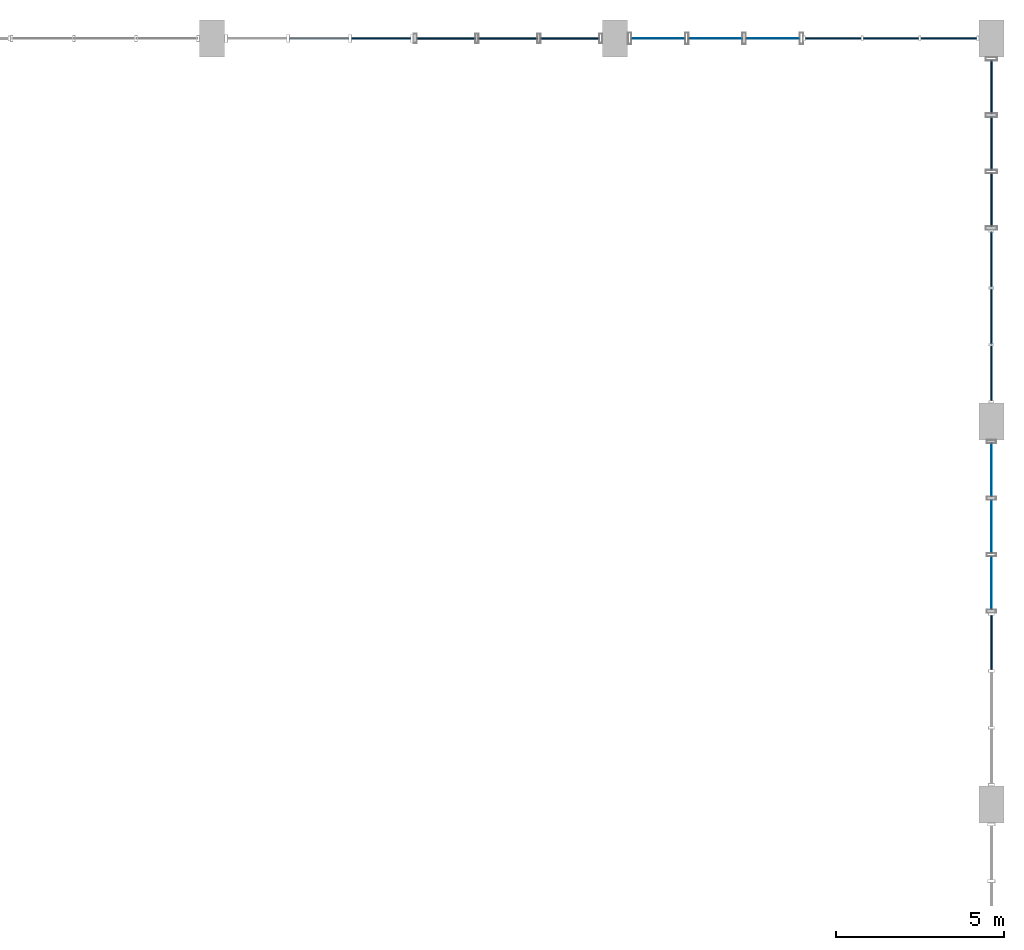
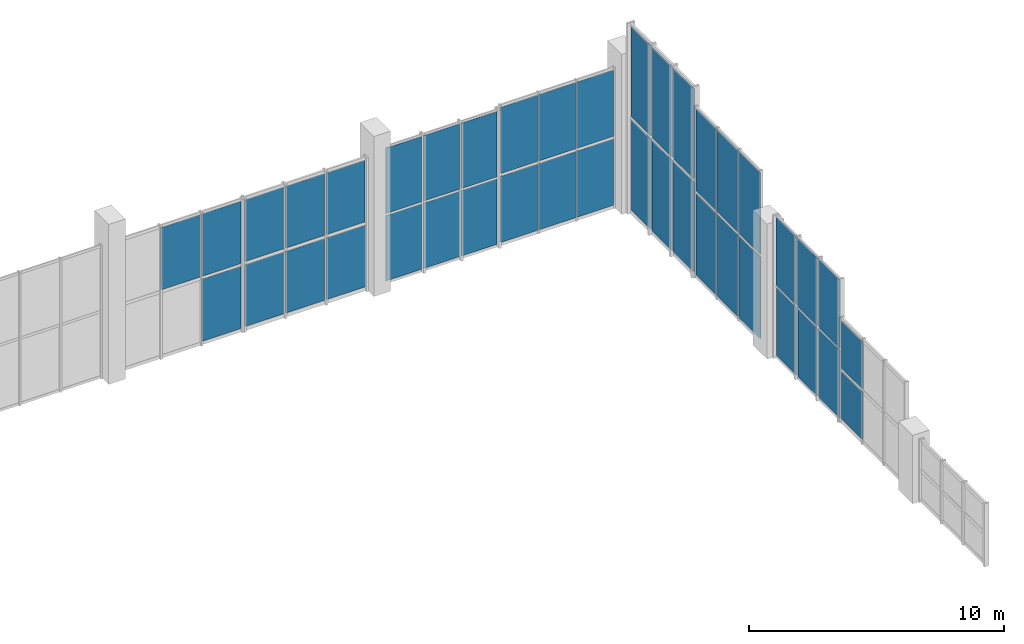
# One storey, part 22 of 28: 41 plates, 8 elements without a shape of their own.
"""IFC4 building model written with IfcOpenShell, lengths in metres."""

from ifc_helpers import new_model, si_unit, direction, frame, origin, origin_2d, place, context, subcontext, project, spatial, rectangle, extrude, material, layer, layer_set, type_object, element, aggregate, save


model = new_model("IFC4")

# Units and contexts
model_context = context("Model", 3, precision=1e-05, world=origin(), true_north=direction((0.0, 1.0)))
body_context = subcontext(model_context, "Body", "Model", "MODEL_VIEW")
ifc_project = project(units=[si_unit("LENGTHUNIT", "METRE"), si_unit("AREAUNIT", "SQUARE_METRE"), si_unit("VOLUMEUNIT", "CUBIC_METRE"), si_unit("PLANEANGLEUNIT", "RADIAN"), si_unit("MASSUNIT", "GRAM", prefix="KILO"), si_unit("POWERUNIT", "WATT"), si_unit("THERMODYNAMICTEMPERATUREUNIT", "KELVIN")], contexts=[model_context])

# Site, building, storey
site_placement = place(None, origin())
site = spatial("IfcSite", under=ifc_project, at=site_placement, CompositionType="ELEMENT")
building_placement = place(site_placement, origin())
building = spatial("IfcBuilding", under=site, at=building_placement, Name="Kelmbourne Parkland Aquatics Centre", CompositionType="ELEMENT")
storey_placement = place(building_placement, frame((0.0, 0.0, 19.199951171875)))
storey = spatial("IfcBuildingStorey", under=building, at=storey_placement, Name="L04", CompositionType="ELEMENT", Elevation=19.199951171875)

# Curtain wall, plate
ifc_material_1 = material(Name="Thermally broken anodised aluminium framing", Category="aluminium")
ifc_layer_1 = layer(ifc_material_1, 0.179931640625)
ifc_layer_set_1 = layer_set([ifc_layer_1], Name="Thermally broken anodised aluminium framing")
curtain_wall_type_1 = type_object("IfcCurtainWallType", Name="CW-14", PredefinedType="NOTDEFINED", material=ifc_layer_set_1)
curtain_wall_1_placement = place(storey_placement, origin())
curtain_wall_1 = element("IfcCurtainWall", 1, at=curtain_wall_1_placement, inside=storey, type_object=curtain_wall_type_1, Name="Wave-hall clerestory curtain wall CW-L04-086", PredefinedType="NOTDEFINED")
ifc_material_2 = material(Name="Double-glazed low-e laminated safety glass", Category="glass")
ifc_layer_2 = layer(ifc_material_2, 0.0419921875)
ifc_layer_set_2 = layer_set([ifc_layer_2], Name="Double-glazed low-e laminated safety glass")
plate_type_1 = type_object("IfcPlateType", Name="PL-CLR-1", PredefinedType="USERDEFINED", material=ifc_layer_set_2)
plate_1_placement = place(storey_placement, frame((175.199951171875, 96.81689453125, 2.6025390625), z_axis=(0.0, 0.0, 1.0), x_axis=(0.0, 1.0, 0.0)))
plate_1 = element("IfcPlate", 2, at=plate_1_placement, type_object=plate_type_1, Name="CW-L04-086 clerestory glazing 1-2", ObjectType="CLERESTORY GLAZING", PredefinedType="USERDEFINED", context=body_context, shape_type="SweptSolid", body=[
    extrude(rectangle(XDim=1.6279296875, YDim=0.0419921875, at=origin_2d()), origin(), (0.0, 0.0, 1.0), 2.257568359375),
])

# Curtain wall, plates
ifc_layer_3 = layer(ifc_material_1, 0.179931640625)
ifc_layer_set_3 = layer_set([ifc_layer_3], Name="Thermally broken anodised aluminium framing")
curtain_wall_type_2 = type_object("IfcCurtainWallType", Name="CW-21", PredefinedType="NOTDEFINED", material=ifc_layer_set_3)
curtain_wall_2_placement = place(storey_placement, origin())
curtain_wall_2 = element("IfcCurtainWall", 3, at=curtain_wall_2_placement, inside=storey, type_object=curtain_wall_type_2, Name="Wave-hall clerestory curtain wall CW-L04-093", PredefinedType="NOTDEFINED")
plate_2_placement = place(storey_placement, frame((175.199951171875, 98.589599609375, 3.466064453125), z_axis=(0.0, 0.0, 1.0), x_axis=(0.0, 1.0, 0.0)))
plate_2 = element("IfcPlate", 4, at=plate_2_placement, type_object=plate_type_1, Name="CW-L04-093 clerestory glazing 1-0", ObjectType="CLERESTORY GLAZING", PredefinedType="USERDEFINED", context=body_context, shape_type="SweptSolid", body=[
    extrude(rectangle(XDim=1.601318359375, YDim=0.0419921875, at=origin_2d()), origin(), (0.0, 0.0, 1.0), 3.2412109375),
])
plate_3_placement = place(storey_placement, frame((175.199951171875, 100.27392578125, 3.466064453125), z_axis=(0.0, 0.0, 1.0), x_axis=(0.0, 1.0, 0.0)))
plate_3 = element("IfcPlate", 5, at=plate_3_placement, type_object=plate_type_1, Name="CW-L04-093 clerestory glazing 1-1", ObjectType="CLERESTORY GLAZING", PredefinedType="USERDEFINED", context=body_context, shape_type="SweptSolid", body=[
    extrude(rectangle(XDim=1.601318359375, YDim=0.0419921875, at=origin_2d()), origin(), (0.0, 0.0, 1.0), 3.2412109375),
])
plate_4_placement = place(storey_placement, frame((175.199951171875, 101.958251953125, 3.466064453125), z_axis=(0.0, 0.0, 1.0), x_axis=(0.0, 1.0, 0.0)))
plate_4 = element("IfcPlate", 6, at=plate_4_placement, type_object=plate_type_1, Name="CW-L04-093 clerestory glazing 1-2", ObjectType="CLERESTORY GLAZING", PredefinedType="USERDEFINED", context=body_context, shape_type="SweptSolid", body=[
    extrude(rectangle(XDim=1.601318359375, YDim=0.0419921875, at=origin_2d()), origin(), (0.0, 0.0, 1.0), 3.2412109375),
])

ifc_layer_4 = layer(ifc_material_1, 0.179931640625)
ifc_layer_set_4 = layer_set([ifc_layer_4], Name="Thermally broken anodised aluminium framing")
curtain_wall_type_3 = type_object("IfcCurtainWallType", Name="CW-04", PredefinedType="NOTDEFINED", material=ifc_layer_set_4)
curtain_wall_3_placement = place(storey_placement, origin())
curtain_wall_3 = element("IfcCurtainWall", 7, at=curtain_wall_3_placement, inside=storey, type_object=curtain_wall_type_3, Name="Wave-hall clerestory curtain wall CW-L04-100", PredefinedType="NOTDEFINED")
plate_5_placement = place(storey_placement, frame((175.199951171875, 104.83154296875, 4.1806640625), z_axis=(0.0, 0.0, 1.0), x_axis=(0.0, 1.0, 0.0)))
plate_5 = element("IfcPlate", 8, at=plate_5_placement, type_object=plate_type_1, Name="CW-L04-100 clerestory glazing 1-0", ObjectType="CLERESTORY GLAZING", PredefinedType="USERDEFINED", context=body_context, shape_type="SweptSolid", body=[
    extrude(rectangle(XDim=1.641357421875, YDim=0.0419921875, at=origin_2d()), origin(), (0.0, 0.0, 1.0), 3.895751953125),
])
plate_6_placement = place(storey_placement, frame((175.199951171875, 106.52587890625, 4.1806640625), z_axis=(0.0, 0.0, 1.0), x_axis=(0.0, 1.0, 0.0)))
plate_6 = element("IfcPlate", 9, at=plate_6_placement, type_object=plate_type_1, Name="CW-L04-100 clerestory glazing 1-1", ObjectType="CLERESTORY GLAZING", PredefinedType="USERDEFINED", context=body_context, shape_type="SweptSolid", body=[
    extrude(rectangle(XDim=1.641357421875, YDim=0.0419921875, at=origin_2d()), origin(), (0.0, 0.0, 1.0), 3.895751953125),
])
plate_7_placement = place(storey_placement, frame((175.199951171875, 108.22021484375, 4.1806640625), z_axis=(0.0, 0.0, 1.0), x_axis=(0.0, 1.0, 0.0)))
plate_7 = element("IfcPlate", 10, at=plate_7_placement, type_object=plate_type_1, Name="CW-L04-100 clerestory glazing 1-2", ObjectType="CLERESTORY GLAZING", PredefinedType="USERDEFINED", context=body_context, shape_type="SweptSolid", body=[
    extrude(rectangle(XDim=1.641357421875, YDim=0.0419921875, at=origin_2d()), origin(), (0.0, 0.0, 1.0), 3.895751953125),
])

ifc_layer_5 = layer(ifc_material_1, 0.179931640625)
ifc_layer_set_5 = layer_set([ifc_layer_5], Name="Thermally broken anodised aluminium framing")
curtain_wall_type_4 = type_object("IfcCurtainWallType", Name="CW-08", PredefinedType="NOTDEFINED", material=ifc_layer_set_5)
curtain_wall_4_placement = place(storey_placement, origin())
curtain_wall_4 = element("IfcCurtainWall", 11, at=curtain_wall_4_placement, inside=storey, type_object=curtain_wall_type_4, Name="Wave-hall clerestory curtain wall CW-L04-104", PredefinedType="NOTDEFINED")
plate_8_placement = place(storey_placement, frame((175.199951171875, 109.992919921875, 4.64111328125), z_axis=(0.0, 0.0, 1.0), x_axis=(0.0, 1.0, 0.0)))
plate_8 = element("IfcPlate", 12, at=plate_8_placement, type_object=plate_type_1, Name="CW-L04-104 clerestory glazing 1-0", ObjectType="CLERESTORY GLAZING", PredefinedType="USERDEFINED", context=body_context, shape_type="SweptSolid", body=[
    extrude(rectangle(XDim=1.587890625, YDim=0.0419921875, at=origin_2d()), origin(), (0.0, 0.0, 1.0), 4.296142578125),
])
plate_9_placement = place(storey_placement, frame((175.199951171875, 111.674072265625, 4.64111328125), z_axis=(0.0, 0.0, 1.0), x_axis=(0.0, 1.0, 0.0)))
plate_9 = element("IfcPlate", 13, at=plate_9_placement, type_object=plate_type_1, Name="CW-L04-104 clerestory glazing 1-1", ObjectType="CLERESTORY GLAZING", PredefinedType="USERDEFINED", context=body_context, shape_type="SweptSolid", body=[
    extrude(rectangle(XDim=1.587890625, YDim=0.0419921875, at=origin_2d()), origin(), (0.0, 0.0, 1.0), 4.296142578125),
])
plate_10_placement = place(storey_placement, frame((175.199951171875, 113.35498046875, 4.64111328125), z_axis=(0.0, 0.0, 1.0), x_axis=(0.0, 1.0, 0.0)))
plate_10 = element("IfcPlate", 14, at=plate_10_placement, type_object=plate_type_1, Name="CW-L04-104 clerestory glazing 1-2", ObjectType="CLERESTORY GLAZING", PredefinedType="USERDEFINED", context=body_context, shape_type="SweptSolid", body=[
    extrude(rectangle(XDim=1.587890625, YDim=0.0419921875, at=origin_2d()), origin(), (0.0, 0.0, 1.0), 4.296142578125),
])

ifc_layer_6 = layer(ifc_material_1, 0.179931640625)
ifc_layer_set_6 = layer_set([ifc_layer_6], Name="Thermally broken anodised aluminium framing")
curtain_wall_type_5 = type_object("IfcCurtainWallType", Name="CW-13", PredefinedType="NOTDEFINED", material=ifc_layer_set_6)
curtain_wall_5_placement = place(storey_placement, origin())
curtain_wall_5 = element("IfcCurtainWall", 15, at=curtain_wall_5_placement, inside=storey, type_object=curtain_wall_type_5, Name="Wave-hall clerestory curtain wall CW-L04-157", PredefinedType="NOTDEFINED")
plate_11_placement = place(storey_placement, frame((155.1884765625, 114.800048828125, 3.2578125), z_axis=(0.0, 0.0, 1.0), x_axis=(1.0, 0.0, 0.0)))
plate_11 = element("IfcPlate", 16, at=plate_11_placement, type_object=plate_type_1, Name="CW-L04-157 clerestory glazing 1-1", ObjectType="CLERESTORY GLAZING", PredefinedType="USERDEFINED", context=body_context, shape_type="SweptSolid", body=[
    extrude(rectangle(XDim=1.77294921875, YDim=0.0419921875, at=origin_2d()), origin(), (0.0, 0.0, 1.0), 2.972412109375),
])
plate_12_placement = place(storey_placement, frame((157.034423828125, 114.800048828125, 3.2578125), z_axis=(0.0, 0.0, 1.0), x_axis=(1.0, 0.0, 0.0)))
plate_12 = element("IfcPlate", 17, at=plate_12_placement, type_object=plate_type_1, Name="CW-L04-157 clerestory glazing 1-2", ObjectType="CLERESTORY GLAZING", PredefinedType="USERDEFINED", context=body_context, shape_type="SweptSolid", body=[
    extrude(rectangle(XDim=1.77294921875, YDim=0.0419921875, at=origin_2d()), origin(), (0.0, 0.0, 1.0), 2.972412109375),
])

curtain_wall_6_placement = place(storey_placement, origin())
curtain_wall_6 = element("IfcCurtainWall", 18, at=curtain_wall_6_placement, inside=storey, type_object=curtain_wall_type_1, Name="Wave-hall clerestory curtain wall CW-L04-158", PredefinedType="NOTDEFINED")
plate_13_placement = place(storey_placement, frame((158.968994140625, 114.800048828125, 3.2841796875), z_axis=(0.0, 0.0, 1.0), x_axis=(1.0, 0.0, 0.0)))
plate_13 = element("IfcPlate", 19, at=plate_13_placement, type_object=plate_type_1, Name="CW-L04-158 clerestory glazing 1-0", ObjectType="CLERESTORY GLAZING", PredefinedType="USERDEFINED", context=body_context, shape_type="SweptSolid", body=[
    extrude(rectangle(XDim=1.759765625, YDim=0.0419921875, at=origin_2d()), origin(), (0.0, 0.0, 1.0), 2.939208984375),
])
plate_14_placement = place(storey_placement, frame((160.8115234375, 114.800048828125, 3.2841796875), z_axis=(0.0, 0.0, 1.0), x_axis=(1.0, 0.0, 0.0)))
plate_14 = element("IfcPlate", 20, at=plate_14_placement, type_object=plate_type_1, Name="CW-L04-158 clerestory glazing 1-1", ObjectType="CLERESTORY GLAZING", PredefinedType="USERDEFINED", context=body_context, shape_type="SweptSolid", body=[
    extrude(rectangle(XDim=1.759521484375, YDim=0.0419921875, at=origin_2d()), origin(), (0.0, 0.0, 1.0), 2.939208984375),
])
plate_15_placement = place(storey_placement, frame((162.654052734375, 114.800048828125, 3.2841796875), z_axis=(0.0, 0.0, 1.0), x_axis=(1.0, 0.0, 0.0)))
plate_15 = element("IfcPlate", 21, at=plate_15_placement, type_object=plate_type_1, Name="CW-L04-158 clerestory glazing 1-2", ObjectType="CLERESTORY GLAZING", PredefinedType="USERDEFINED", context=body_context, shape_type="SweptSolid", body=[
    extrude(rectangle(XDim=1.759765625, YDim=0.0419921875, at=origin_2d()), origin(), (0.0, 0.0, 1.0), 2.939208984375),
])

ifc_layer_7 = layer(ifc_material_1, 0.179931640625)
ifc_layer_set_7 = layer_set([ifc_layer_7], Name="Thermally broken anodised aluminium framing")
curtain_wall_type_6 = type_object("IfcCurtainWallType", Name="CW-15", PredefinedType="NOTDEFINED", material=ifc_layer_set_7)
curtain_wall_7_placement = place(storey_placement, origin())
curtain_wall_7 = element("IfcCurtainWall", 22, at=curtain_wall_7_placement, inside=storey, type_object=curtain_wall_type_6, Name="Wave-hall clerestory curtain wall CW-L04-159", PredefinedType="NOTDEFINED")
plate_16_placement = place(storey_placement, frame((165.282470703125, 114.800048828125, 3.3486328125), z_axis=(0.0, 0.0, 1.0), x_axis=(1.0, 0.0, 0.0)))
plate_16 = element("IfcPlate", 23, at=plate_16_placement, type_object=plate_type_1, Name="CW-L04-159 clerestory glazing 1-0", ObjectType="CLERESTORY GLAZING", PredefinedType="USERDEFINED", context=body_context, shape_type="SweptSolid", body=[
    extrude(rectangle(XDim=1.613037109375, YDim=0.0419921875, at=origin_2d()), origin(), (0.0, 0.0, 1.0), 3.123779296875),
])
plate_17_placement = place(storey_placement, frame((166.988525390625, 114.800048828125, 3.3486328125), z_axis=(0.0, 0.0, 1.0), x_axis=(1.0, 0.0, 0.0)))
plate_17 = element("IfcPlate", 24, at=plate_17_placement, type_object=plate_type_1, Name="CW-L04-159 clerestory glazing 1-1", ObjectType="CLERESTORY GLAZING", PredefinedType="USERDEFINED", context=body_context, shape_type="SweptSolid", body=[
    extrude(rectangle(XDim=1.613037109375, YDim=0.0419921875, at=origin_2d()), origin(), (0.0, 0.0, 1.0), 3.123779296875),
])
plate_18_placement = place(storey_placement, frame((168.694580078125, 114.800048828125, 3.3486328125), z_axis=(0.0, 0.0, 1.0), x_axis=(1.0, 0.0, 0.0)))
plate_18 = element("IfcPlate", 25, at=plate_18_placement, type_object=plate_type_1, Name="CW-L04-159 clerestory glazing 1-2", ObjectType="CLERESTORY GLAZING", PredefinedType="USERDEFINED", context=body_context, shape_type="SweptSolid", body=[
    extrude(rectangle(XDim=1.613037109375, YDim=0.0419921875, at=origin_2d()), origin(), (0.0, 0.0, 1.0), 3.123779296875),
])

ifc_layer_8 = layer(ifc_material_1, 0.179931640625)
ifc_layer_set_8 = layer_set([ifc_layer_8], Name="Thermally broken anodised aluminium framing")
curtain_wall_type_7 = type_object("IfcCurtainWallType", Name="CW-16", PredefinedType="NOTDEFINED", material=ifc_layer_set_8)
curtain_wall_8_placement = place(storey_placement, origin())
curtain_wall_8 = element("IfcCurtainWall", 26, at=curtain_wall_8_placement, inside=storey, type_object=curtain_wall_type_7, Name="Wave-hall clerestory curtain wall CW-L04-160", PredefinedType="NOTDEFINED")
plate_19_placement = place(storey_placement, frame((170.4921875, 114.800048828125, 3.4462890625), z_axis=(0.0, 0.0, 1.0), x_axis=(1.0, 0.0, 0.0)))
plate_19 = element("IfcPlate", 27, at=plate_19_placement, type_object=plate_type_1, Name="CW-L04-160 clerestory glazing 1-0", ObjectType="CLERESTORY GLAZING", PredefinedType="USERDEFINED", context=body_context, shape_type="SweptSolid", body=[
    extrude(rectangle(XDim=1.666259765625, YDim=0.0419921875, at=origin_2d()), origin(), (0.0, 0.0, 1.0), 3.161376953125),
])
plate_20_placement = place(storey_placement, frame((172.21142578125, 114.800048828125, 3.4462890625), z_axis=(0.0, 0.0, 1.0), x_axis=(1.0, 0.0, 0.0)))
plate_20 = element("IfcPlate", 28, at=plate_20_placement, type_object=plate_type_1, Name="CW-L04-160 clerestory glazing 1-1", ObjectType="CLERESTORY GLAZING", PredefinedType="USERDEFINED", context=body_context, shape_type="SweptSolid", body=[
    extrude(rectangle(XDim=1.66650390625, YDim=0.0419921875, at=origin_2d()), origin(), (0.0, 0.0, 1.0), 3.161376953125),
])
plate_21_placement = place(storey_placement, frame((173.930908203125, 114.800048828125, 3.4462890625), z_axis=(0.0, 0.0, 1.0), x_axis=(1.0, 0.0, 0.0)))
plate_21 = element("IfcPlate", 29, at=plate_21_placement, type_object=plate_type_1, Name="CW-L04-160 clerestory glazing 1-2", ObjectType="CLERESTORY GLAZING", PredefinedType="USERDEFINED", context=body_context, shape_type="SweptSolid", body=[
    extrude(rectangle(XDim=1.666259765625, YDim=0.0419921875, at=origin_2d()), origin(), (0.0, 0.0, 1.0), 3.161376953125),
])

# Plate
ifc_layer_9 = layer(ifc_material_2, 0.02392578125)
ifc_layer_set_9 = layer_set([ifc_layer_9], Name="Double-glazed low-e laminated safety glass")
plate_type_2 = type_object("IfcPlateType", Name="PL-CWP-1", PredefinedType="CURTAIN_PANEL", material=ifc_layer_set_9)
plate_22_placement = place(storey_placement, frame((175.199951171875, 98.589599609375, 0.116943359375), z_axis=(0.0, 0.0, 1.0), x_axis=(0.0, 1.0, 0.0)))
plate_22 = element("IfcPlate", 30, at=plate_22_placement, type_object=plate_type_2, Name="CW-L04-093 vision glazing 0-0", PredefinedType="CURTAIN_PANEL", context=body_context, shape_type="SweptSolid", body=[
    extrude(rectangle(XDim=1.601318359375, YDim=0.02392578125, at=origin_2d()), origin(), (0.0, 0.0, 1.0), 3.2412109375),
])

plate_23_placement = place(storey_placement, frame((175.199951171875, 100.27392578125, 0.116943359375), z_axis=(0.0, 0.0, 1.0), x_axis=(0.0, 1.0, 0.0)))
plate_23 = element("IfcPlate", 31, at=plate_23_placement, type_object=plate_type_2, Name="CW-L04-093 vision glazing 0-1", PredefinedType="CURTAIN_PANEL", context=body_context, shape_type="SweptSolid", body=[
    extrude(rectangle(XDim=1.601318359375, YDim=0.02392578125, at=origin_2d()), origin(), (0.0, 0.0, 1.0), 3.2412109375),
])

plate_24_placement = place(storey_placement, frame((175.199951171875, 101.958251953125, 0.116943359375), z_axis=(0.0, 0.0, 1.0), x_axis=(0.0, 1.0, 0.0)))
plate_24 = element("IfcPlate", 32, at=plate_24_placement, type_object=plate_type_2, Name="CW-L04-093 vision glazing 0-2", PredefinedType="CURTAIN_PANEL", context=body_context, shape_type="SweptSolid", body=[
    extrude(rectangle(XDim=1.601318359375, YDim=0.02392578125, at=origin_2d()), origin(), (0.0, 0.0, 1.0), 3.2412109375),
])

aggregate(curtain_wall_2, [plate_22, plate_23, plate_24, plate_2, plate_3, plate_4])

plate_25_placement = place(storey_placement, frame((165.282470703125, 114.800048828125, 0.1171875), z_axis=(0.0, 0.0, 1.0), x_axis=(1.0, 0.0, 0.0)))
plate_25 = element("IfcPlate", 33, at=plate_25_placement, type_object=plate_type_2, Name="CW-L04-159 vision glazing 0-0", PredefinedType="CURTAIN_PANEL", context=body_context, shape_type="SweptSolid", body=[
    extrude(rectangle(XDim=1.613037109375, YDim=0.02392578125, at=origin_2d()), origin(), (0.0, 0.0, 1.0), 3.123779296875),
])

plate_26_placement = place(storey_placement, frame((166.988525390625, 114.800048828125, 0.1171875), z_axis=(0.0, 0.0, 1.0), x_axis=(1.0, 0.0, 0.0)))
plate_26 = element("IfcPlate", 34, at=plate_26_placement, type_object=plate_type_2, Name="CW-L04-159 vision glazing 0-1", PredefinedType="CURTAIN_PANEL", context=body_context, shape_type="SweptSolid", body=[
    extrude(rectangle(XDim=1.613037109375, YDim=0.02392578125, at=origin_2d()), origin(), (0.0, 0.0, 1.0), 3.123779296875),
])

plate_27_placement = place(storey_placement, frame((168.694580078125, 114.800048828125, 0.1171875), z_axis=(0.0, 0.0, 1.0), x_axis=(1.0, 0.0, 0.0)))
plate_27 = element("IfcPlate", 35, at=plate_27_placement, type_object=plate_type_2, Name="CW-L04-159 vision glazing 0-2", PredefinedType="CURTAIN_PANEL", context=body_context, shape_type="SweptSolid", body=[
    extrude(rectangle(XDim=1.613037109375, YDim=0.02392578125, at=origin_2d()), origin(), (0.0, 0.0, 1.0), 3.123779296875),
])

aggregate(curtain_wall_7, [plate_25, plate_26, plate_27, plate_16, plate_17, plate_18])

ifc_layer_10 = layer(ifc_material_2, 0.035888671875)
ifc_layer_set_10 = layer_set([ifc_layer_10], Name="Double-glazed low-e laminated safety glass")
plate_type_3 = type_object("IfcPlateType", Name="PL-CWP-2", PredefinedType="CURTAIN_PANEL", material=ifc_layer_set_10)
plate_28_placement = place(storey_placement, frame((175.199951171875, 104.83154296875, 0.14697265625), z_axis=(0.0, 0.0, 1.0), x_axis=(0.0, 1.0, 0.0)))
plate_28 = element("IfcPlate", 36, at=plate_28_placement, type_object=plate_type_3, Name="CW-L04-100 vision glazing 0-0", PredefinedType="CURTAIN_PANEL", context=body_context, shape_type="SweptSolid", body=[
    extrude(rectangle(XDim=1.641357421875, YDim=0.035888671875, at=origin_2d()), origin(), (0.0, 0.0, 1.0), 3.895751953125),
])

plate_29_placement = place(storey_placement, frame((175.199951171875, 106.52587890625, 0.14697265625), z_axis=(0.0, 0.0, 1.0), x_axis=(0.0, 1.0, 0.0)))
plate_29 = element("IfcPlate", 37, at=plate_29_placement, type_object=plate_type_3, Name="CW-L04-100 vision glazing 0-1", PredefinedType="CURTAIN_PANEL", context=body_context, shape_type="SweptSolid", body=[
    extrude(rectangle(XDim=1.641357421875, YDim=0.035888671875, at=origin_2d()), origin(), (0.0, 0.0, 1.0), 3.895751953125),
])

plate_30_placement = place(storey_placement, frame((175.199951171875, 108.22021484375, 0.14697265625), z_axis=(0.0, 0.0, 1.0), x_axis=(0.0, 1.0, 0.0)))
plate_30 = element("IfcPlate", 38, at=plate_30_placement, type_object=plate_type_3, Name="CW-L04-100 vision glazing 0-2", PredefinedType="CURTAIN_PANEL", context=body_context, shape_type="SweptSolid", body=[
    extrude(rectangle(XDim=1.641357421875, YDim=0.035888671875, at=origin_2d()), origin(), (0.0, 0.0, 1.0), 3.895751953125),
])

aggregate(curtain_wall_3, [plate_28, plate_29, plate_30, plate_5, plate_6, plate_7])

plate_31_placement = place(storey_placement, frame((157.034423828125, 114.800048828125, 0.14697265625), z_axis=(0.0, 0.0, 1.0), x_axis=(1.0, 0.0, 0.0)))
plate_31 = element("IfcPlate", 39, at=plate_31_placement, type_object=plate_type_3, Name="CW-L04-157 vision glazing 0-2", PredefinedType="CURTAIN_PANEL", context=body_context, shape_type="SweptSolid", body=[
    extrude(rectangle(XDim=1.77294921875, YDim=0.035888671875, at=origin_2d()), origin(), (0.0, 0.0, 1.0), 2.972412109375),
])

aggregate(curtain_wall_5, [plate_31, plate_11, plate_12])

plate_32_placement = place(storey_placement, frame((170.4921875, 114.800048828125, 0.14697265625), z_axis=(0.0, 0.0, 1.0), x_axis=(1.0, 0.0, 0.0)))
plate_32 = element("IfcPlate", 40, at=plate_32_placement, type_object=plate_type_3, Name="CW-L04-160 vision glazing 0-0", PredefinedType="CURTAIN_PANEL", context=body_context, shape_type="SweptSolid", body=[
    extrude(rectangle(XDim=1.666259765625, YDim=0.035888671875, at=origin_2d()), origin(), (0.0, 0.0, 1.0), 3.161376953125),
])

plate_33_placement = place(storey_placement, frame((172.21142578125, 114.800048828125, 0.14697265625), z_axis=(0.0, 0.0, 1.0), x_axis=(1.0, 0.0, 0.0)))
plate_33 = element("IfcPlate", 41, at=plate_33_placement, type_object=plate_type_3, Name="CW-L04-160 vision glazing 0-1", PredefinedType="CURTAIN_PANEL", context=body_context, shape_type="SweptSolid", body=[
    extrude(rectangle(XDim=1.66650390625, YDim=0.035888671875, at=origin_2d()), origin(), (0.0, 0.0, 1.0), 3.161376953125),
])

plate_34_placement = place(storey_placement, frame((173.930908203125, 114.800048828125, 0.14697265625), z_axis=(0.0, 0.0, 1.0), x_axis=(1.0, 0.0, 0.0)))
plate_34 = element("IfcPlate", 42, at=plate_34_placement, type_object=plate_type_3, Name="CW-L04-160 vision glazing 0-2", PredefinedType="CURTAIN_PANEL", context=body_context, shape_type="SweptSolid", body=[
    extrude(rectangle(XDim=1.666259765625, YDim=0.035888671875, at=origin_2d()), origin(), (0.0, 0.0, 1.0), 3.161376953125),
])

aggregate(curtain_wall_8, [plate_32, plate_33, plate_34, plate_19, plate_20, plate_21])

ifc_layer_11 = layer(ifc_material_2, 0.048095703125)
ifc_layer_set_11 = layer_set([ifc_layer_11], Name="Double-glazed low-e laminated safety glass")
plate_type_4 = type_object("IfcPlateType", Name="PL-CWP-3", PredefinedType="CURTAIN_PANEL", material=ifc_layer_set_11)
plate_35_placement = place(storey_placement, frame((175.199951171875, 96.81689453125, 0.17724609375), z_axis=(0.0, 0.0, 1.0), x_axis=(0.0, 1.0, 0.0)))
plate_35 = element("IfcPlate", 43, at=plate_35_placement, type_object=plate_type_4, Name="CW-L04-086 vision glazing 0-2", PredefinedType="CURTAIN_PANEL", context=body_context, shape_type="SweptSolid", body=[
    extrude(rectangle(XDim=1.6279296875, YDim=0.048095703125, at=origin_2d()), origin(), (0.0, 0.0, 1.0), 2.257568359375),
])

aggregate(curtain_wall_1, [plate_35, plate_1])

plate_36_placement = place(storey_placement, frame((175.199951171875, 109.992919921875, 0.17724609375), z_axis=(0.0, 0.0, 1.0), x_axis=(0.0, 1.0, 0.0)))
plate_36 = element("IfcPlate", 44, at=plate_36_placement, type_object=plate_type_4, Name="CW-L04-104 vision glazing 0-0", PredefinedType="CURTAIN_PANEL", context=body_context, shape_type="SweptSolid", body=[
    extrude(rectangle(XDim=1.587890625, YDim=0.048095703125, at=origin_2d()), origin(), (0.0, 0.0, 1.0), 4.296142578125),
])

plate_37_placement = place(storey_placement, frame((175.199951171875, 111.674072265625, 0.17724609375), z_axis=(0.0, 0.0, 1.0), x_axis=(0.0, 1.0, 0.0)))
plate_37 = element("IfcPlate", 45, at=plate_37_placement, type_object=plate_type_4, Name="CW-L04-104 vision glazing 0-1", PredefinedType="CURTAIN_PANEL", context=body_context, shape_type="SweptSolid", body=[
    extrude(rectangle(XDim=1.587890625, YDim=0.048095703125, at=origin_2d()), origin(), (0.0, 0.0, 1.0), 4.296142578125),
])

plate_38_placement = place(storey_placement, frame((175.199951171875, 113.35498046875, 0.17724609375), z_axis=(0.0, 0.0, 1.0), x_axis=(0.0, 1.0, 0.0)))
plate_38 = element("IfcPlate", 46, at=plate_38_placement, type_object=plate_type_4, Name="CW-L04-104 vision glazing 0-2", PredefinedType="CURTAIN_PANEL", context=body_context, shape_type="SweptSolid", body=[
    extrude(rectangle(XDim=1.587890625, YDim=0.048095703125, at=origin_2d()), origin(), (0.0, 0.0, 1.0), 4.296142578125),
])

aggregate(curtain_wall_4, [plate_36, plate_37, plate_38, plate_8, plate_9, plate_10])

plate_39_placement = place(storey_placement, frame((158.968994140625, 114.800048828125, 0.17724609375), z_axis=(0.0, 0.0, 1.0), x_axis=(1.0, 0.0, 0.0)))
plate_39 = element("IfcPlate", 47, at=plate_39_placement, type_object=plate_type_4, Name="CW-L04-158 vision glazing 0-0", PredefinedType="CURTAIN_PANEL", context=body_context, shape_type="SweptSolid", body=[
    extrude(rectangle(XDim=1.759765625, YDim=0.048095703125, at=origin_2d()), origin(), (0.0, 0.0, 1.0), 2.939208984375),
])

plate_40_placement = place(storey_placement, frame((160.8115234375, 114.800048828125, 0.17724609375), z_axis=(0.0, 0.0, 1.0), x_axis=(1.0, 0.0, 0.0)))
plate_40 = element("IfcPlate", 48, at=plate_40_placement, type_object=plate_type_4, Name="CW-L04-158 vision glazing 0-1", PredefinedType="CURTAIN_PANEL", context=body_context, shape_type="SweptSolid", body=[
    extrude(rectangle(XDim=1.759521484375, YDim=0.048095703125, at=origin_2d()), origin(), (0.0, 0.0, 1.0), 2.939208984375),
])

plate_41_placement = place(storey_placement, frame((162.654052734375, 114.800048828125, 0.17724609375), z_axis=(0.0, 0.0, 1.0), x_axis=(1.0, 0.0, 0.0)))
plate_41 = element("IfcPlate", 49, at=plate_41_placement, type_object=plate_type_4, Name="CW-L04-158 vision glazing 0-2", PredefinedType="CURTAIN_PANEL", context=body_context, shape_type="SweptSolid", body=[
    extrude(rectangle(XDim=1.759765625, YDim=0.048095703125, at=origin_2d()), origin(), (0.0, 0.0, 1.0), 2.939208984375),
])

aggregate(curtain_wall_6, [plate_39, plate_40, plate_41, plate_13, plate_14, plate_15])

save(model, "model.ifc")
